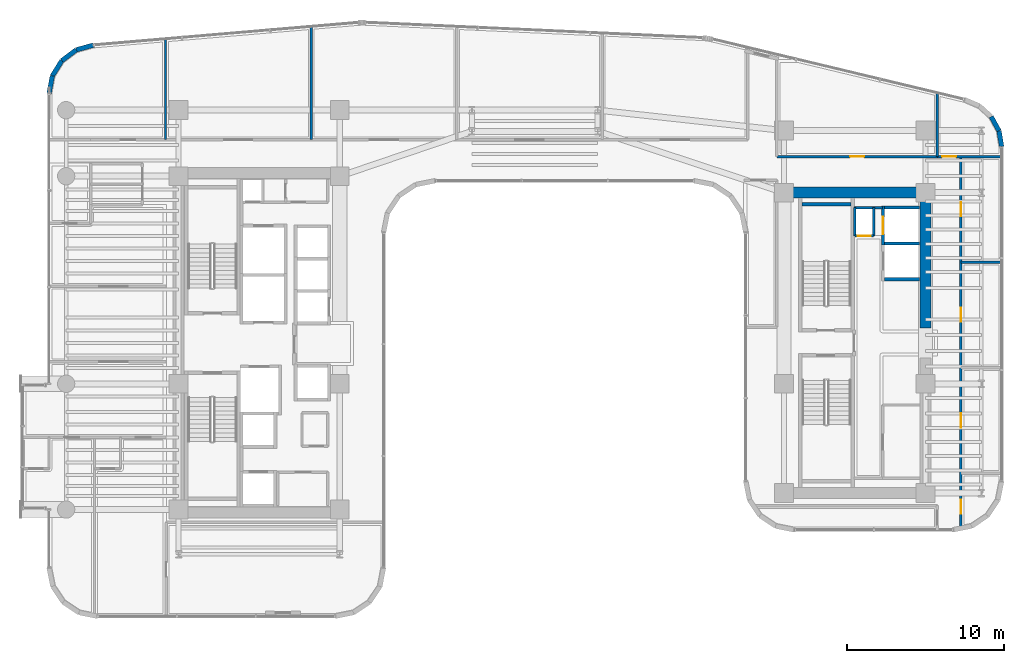
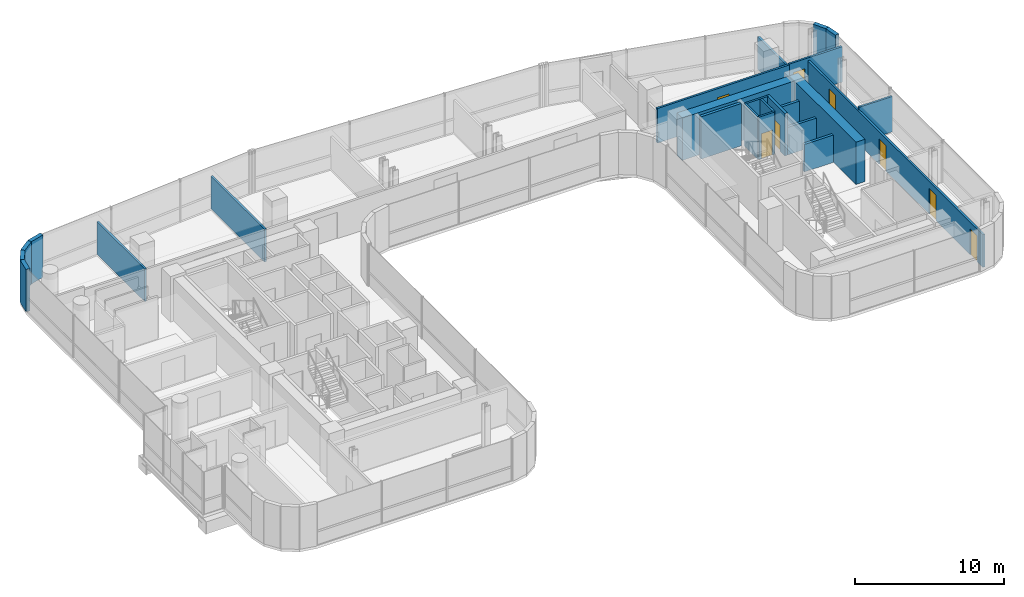
# One storey, part 31 of 37: 24 walls, 8 doors, 8 openings.
"""IFC4 building model written with IfcOpenShell, lengths in metres."""

from ifc_helpers import new_model, si_unit, direction, frame, frame_2d, origin, place, context, subcontext, project, spatial, rectangle, extrude, material, layer, layer_set, type_object, element, fill, save


model = new_model("IFC4")

# Units and contexts
model_context = context("Model", 3, precision=1e-05, world=origin(), true_north=direction((0.0, 1.0)))
body_context = subcontext(model_context, "Body", "Model", "MODEL_VIEW")
ifc_project = project(units=[si_unit("LENGTHUNIT", "METRE"), si_unit("AREAUNIT", "SQUARE_METRE"), si_unit("VOLUMEUNIT", "CUBIC_METRE"), si_unit("PLANEANGLEUNIT", "RADIAN"), si_unit("MASSUNIT", "GRAM", prefix="KILO")], contexts=[model_context])

# Site, building, storey
site_placement = place(None, origin())
site = spatial("IfcSite", under=ifc_project, at=site_placement, CompositionType="ELEMENT")
building_placement = place(site_placement, origin())
building = spatial("IfcBuilding", under=site, at=building_placement, Name="Valdorenza Pilgrim Sanctuary Tower", CompositionType="ELEMENT")
storey_placement = place(building_placement, frame((0.0, 0.0, 135.300048828125)))
storey = spatial("IfcBuildingStorey", under=building, at=storey_placement, Name="L34", CompositionType="ELEMENT", Elevation=135.300048828125)

# Wall, opening, door
ifc_material_1 = material(Name="Acoustic twin-stud gypsum partition", Category="gypsum")
ifc_layer_1 = layer(ifc_material_1, 0.159912109375, Name="Acoustic twin-stud gypsum partition")
ifc_layer_set_1 = layer_set([ifc_layer_1], Name="Acoustic twin-stud gypsum partition")
wall_type_1 = type_object("IfcWallType", Name="WAL-COR-160", PredefinedType="PARTITIONING", material=ifc_layer_set_1)
wall_1_placement = place(storey_placement, frame((20.35009765625, 6.800048828125, 0.0), z_axis=(0.0, 0.0, 1.0), x_axis=(1.0, 0.0, 0.0)))
wall_1 = element("IfcWall", 1, at=wall_1_placement, inside=storey, type_object=wall_type_1, Name="L34 Core B Riser South Wall", PredefinedType="PARTITIONING", context=body_context, shape_type="SweptSolid", body=[
    extrude(rectangle(XDim=1.199951171875, YDim=0.159912109375, at=frame_2d((0.60009765625, 0.0))), origin(), (0.0, 0.0, 1.0), 3.4599609375),
])
opening_1_placement = place(wall_1_placement, frame((0.175048828125, 0.0, 0.0)))
opening_1 = element("IfcOpeningElement", 2, at=opening_1_placement, cuts=wall_1, Name="Opening DR-RS1", PredefinedType="OPENING", context=body_context, shape_type="SweptSolid", body=[
    extrude(rectangle(XDim=0.85009765625, YDim=2.050048828125, at=frame_2d((0.425048828125, 1.02490234375))), frame((0.0, 0.0947265625, 0.0), z_axis=(0.0, -1.0, 0.0), x_axis=(1.0, 0.0, 0.0)), (0.0, 0.0, 1.0), 0.189697265625),
])
ifc_material_2 = material(Name="Painted galvanized steel", Category="steel")
door_type_1 = type_object("IfcDoorType", Name="DR-RSR-850", OperationType="NOTDEFINED", PredefinedType="DOOR", material=ifc_material_2)
door_1_placement = place(opening_1_placement, origin())
door_1 = element("IfcDoor", 3, at=door_1_placement, inside=storey, type_object=door_type_1, Name="L34 Core B Electrical Riser Door", OperationType="SINGLE_SWING_LEFT", OverallHeight=2.050048828125, OverallWidth=0.85009765625, PredefinedType="DOOR", context=body_context, shape_type="SweptSolid", body=[
    extrude(rectangle(XDim=0.85009765625, YDim=2.050048828125, at=frame_2d((0.425048828125, 1.02490234375))), frame((0.0, 0.02490234375, 0.0), z_axis=(0.0, -1.0, 0.0), x_axis=(1.0, 0.0, 0.0)), (0.0, 0.0, 1.0), 0.050048828125),
])
fill(opening_1, door_1)

# Walls
for number, where, z_axis, x_axis, name in (
    (4, (21.550048828125, 6.800048828125, 0.0), (0.0, 0.0, 1.0), (0.0, 1.0, 0.0), "L34 Core B Riser East Wall"),
    (5, (20.35009765625, 6.800048828125, 0.0), (0.0, 0.0, 1.0), (0.0, 1.0, 0.0), "L34 Core B Riser West Wall"),
):
    element("IfcWall", number, at=place(storey_placement, frame(where, z_axis=z_axis, x_axis=x_axis)), inside=storey, type_object=wall_type_1, Name=name, PredefinedType="PARTITIONING", context=body_context, shape_type="SweptSolid", body=[
        extrude(rectangle(XDim=1.800048828125, YDim=0.159912109375, at=frame_2d((0.89990234375, 0.0))), origin(), (0.0, 0.0, 1.0), 3.4599609375),
    ])
wall_2_placement = place(storey_placement, frame((20.300048828125, 8.60009765625, 0.0), z_axis=(0.0, 0.0, 1.0), x_axis=(1.0, 0.0, 0.0)))
element("IfcWall", 6, at=wall_2_placement, inside=storey, type_object=wall_type_1, Name="L34 Core B Lift Hall North End Wall", PredefinedType="PARTITIONING", context=body_context, shape_type="SweptSolid", body=[
    extrude(rectangle(XDim=1.820068359375, YDim=0.159912109375, at=frame_2d((0.91015625, 0.0))), origin(), (0.0, 0.0, 1.0), 3.4599609375),
])

# Wall, opening, door
wall_3_placement = place(storey_placement, frame((15.39990234375, 11.85009765625, 0.0), z_axis=(0.0, 0.0, 1.0), x_axis=(1.0, 0.0, 0.0)))
wall_3 = element("IfcWall", 7, at=wall_3_placement, inside=storey, type_object=wall_type_1, Name="L34 Wing B North Corridor Wall", PredefinedType="PARTITIONING", context=body_context, shape_type="SweptSolid", body=[
    extrude(rectangle(XDim=10.2001953125, YDim=0.159912109375, at=frame_2d((5.10009765625, 0.0))), origin(), (0.0, 0.0, 1.0), 2.833984375),
])
opening_2_placement = place(wall_3_placement, frame((4.64990234375, 0.0, 0.0)))
opening_2 = element("IfcOpeningElement", 8, at=opening_2_placement, cuts=wall_3, Name="Opening DR-RM1", PredefinedType="OPENING", context=body_context, shape_type="SweptSolid", body=[
    extrude(rectangle(XDim=0.89990234375, YDim=2.10009765625, at=frame_2d((0.449951171875, 1.050048828125))), frame((0.0, 0.0947265625, 0.0), z_axis=(0.0, -1.0, 0.0), x_axis=(1.0, 0.0, 0.0)), (0.0, 0.0, 1.0), 0.189697265625),
])
ifc_material_3 = material(Name="Solid-core European oak timber", Category="wood")
door_type_2 = type_object("IfcDoorType", Name="DR-ROOM-900", OperationType="NOTDEFINED", PredefinedType="DOOR", material=ifc_material_3)
door_2_placement = place(opening_2_placement, origin())
door_2 = element("IfcDoor", 9, at=door_2_placement, inside=storey, type_object=door_type_2, Name="L34 Curator Research Office L34-BN1 Door", OperationType="SINGLE_SWING_RIGHT", OverallHeight=2.10009765625, OverallWidth=0.89990234375, PredefinedType="DOOR", context=body_context, shape_type="SweptSolid", body=[
    extrude(rectangle(XDim=0.89990234375, YDim=2.10009765625, at=frame_2d((0.449951171875, 1.050048828125))), frame((0.0, 0.02490234375, 0.0), z_axis=(0.0, -1.0, 0.0), x_axis=(1.0, 0.0, 0.0)), (0.0, 0.0, 1.0), 0.050048828125),
])
fill(opening_2, door_2)

# Wall
wall_4_placement = place(storey_placement, frame((25.60009765625, 11.85009765625, 0.0), z_axis=(0.0, 0.0, 1.0), x_axis=(0.0, 1.0, 0.0)))
element("IfcWall", 10, at=wall_4_placement, inside=storey, type_object=wall_type_1, Name="L34 Wing B North East Wall", PredefinedType="PARTITIONING", context=body_context, shape_type="SweptSolid", body=[
    extrude(rectangle(XDim=4.042236328125, YDim=0.159912109375, at=frame_2d((2.02099609375, 0.0))), origin(), (0.0, 0.0, 1.0), 2.666015625),
])

# Wall, openings, doors
wall_5_placement = place(storey_placement, frame((27.10009765625, -11.660888671875, 0.0), z_axis=(0.0, 0.0, 1.0), x_axis=(0.0, 1.0, 0.0)))
wall_5 = element("IfcWall", 11, at=wall_5_placement, inside=storey, type_object=wall_type_1, Name="L34 Wing B East Corridor Wall", PredefinedType="PARTITIONING", context=body_context, shape_type="SweptSolid", body=[
    extrude(rectangle(XDim=23.510986328125, YDim=0.159912109375, at=frame_2d((11.75537109375, 0.0))), origin(), (0.0, 0.0, 1.0), 2.666015625),
])
opening_3_placement = place(wall_5_placement, frame((0.800048828125, 0.0, 0.0)))
opening_3 = element("IfcOpeningElement", 12, at=opening_3_placement, cuts=wall_5, Name="Opening DR-RM1", PredefinedType="OPENING", context=body_context, shape_type="SweptSolid", body=[
    extrude(rectangle(XDim=0.89990234375, YDim=2.10009765625, at=frame_2d((0.449951171875, 1.050048828125))), frame((0.0, 0.0947265625, 0.0), z_axis=(0.0, -1.0, 0.0), x_axis=(1.0, 0.0, 0.0)), (0.0, 0.0, 1.0), 0.189697265625),
])
opening_4_placement = place(wall_5_placement, frame((6.280029296875, 0.0, 0.0)))
opening_4 = element("IfcOpeningElement", 13, at=opening_4_placement, cuts=wall_5, Name="Opening DR-RM1", PredefinedType="OPENING", context=body_context, shape_type="SweptSolid", body=[
    extrude(rectangle(XDim=0.89990234375, YDim=2.10009765625, at=frame_2d((0.449951171875, 1.050048828125))), frame((0.0, 0.0947265625, 0.0), z_axis=(0.0, -1.0, 0.0), x_axis=(1.0, 0.0, 0.0)), (0.0, 0.0, 1.0), 0.189697265625),
])
opening_5_placement = place(wall_5_placement, frame((12.991943359375, 0.0, 0.0)))
opening_5 = element("IfcOpeningElement", 14, at=opening_5_placement, cuts=wall_5, Name="Opening DR-RM1", PredefinedType="OPENING", context=body_context, shape_type="SweptSolid", body=[
    extrude(rectangle(XDim=0.89990234375, YDim=2.10009765625, at=frame_2d((0.449951171875, 1.050048828125))), frame((0.0, 0.0947265625, 0.0), z_axis=(0.0, -1.0, 0.0), x_axis=(1.0, 0.0, 0.0)), (0.0, 0.0, 1.0), 0.189697265625),
])
opening_6_placement = place(wall_5_placement, frame((19.705078125, 0.0, 0.0)))
opening_6 = element("IfcOpeningElement", 15, at=opening_6_placement, cuts=wall_5, Name="Opening DR-RM1", PredefinedType="OPENING", context=body_context, shape_type="SweptSolid", body=[
    extrude(rectangle(XDim=0.89990234375, YDim=2.10009765625, at=frame_2d((0.449951171875, 1.050048828125))), frame((0.0, 0.0947265625, 0.0), z_axis=(0.0, -1.0, 0.0), x_axis=(1.0, 0.0, 0.0)), (0.0, 0.0, 1.0), 0.189697265625),
])
door_3_placement = place(opening_3_placement, frame((0.89990234375, 0.0, 0.0), z_axis=(0.0, 0.0, 1.0), x_axis=(-1.0, 0.0, 0.0)))
door_3 = element("IfcDoor", 16, at=door_3_placement, inside=storey, type_object=door_type_2, Name="L34 East Sanctuary Scholar Office L34-EG1 Door", OperationType="SINGLE_SWING_LEFT", OverallHeight=2.10009765625, OverallWidth=0.89990234375, PredefinedType="DOOR", context=body_context, shape_type="SweptSolid", body=[
    extrude(rectangle(XDim=0.89990234375, YDim=2.10009765625, at=frame_2d((0.449951171875, 1.050048828125))), frame((0.0, 0.02490234375, 0.0), z_axis=(0.0, -1.0, 0.0), x_axis=(1.0, 0.0, 0.0)), (0.0, 0.0, 1.0), 0.050048828125),
])
fill(opening_3, door_3)
door_4_placement = place(opening_4_placement, origin())
door_4 = element("IfcDoor", 17, at=door_4_placement, inside=storey, type_object=door_type_2, Name="L34 East Sanctuary Scholar Office L34-EG2 Door", OperationType="SINGLE_SWING_RIGHT", OverallHeight=2.10009765625, OverallWidth=0.89990234375, PredefinedType="DOOR", context=body_context, shape_type="SweptSolid", body=[
    extrude(rectangle(XDim=0.89990234375, YDim=2.10009765625, at=frame_2d((0.449951171875, 1.050048828125))), frame((0.0, 0.02490234375, 0.0), z_axis=(0.0, -1.0, 0.0), x_axis=(1.0, 0.0, 0.0)), (0.0, 0.0, 1.0), 0.050048828125),
])
fill(opening_4, door_4)
door_5_placement = place(opening_5_placement, frame((0.89990234375, 0.0, 0.0), z_axis=(0.0, 0.0, 1.0), x_axis=(-1.0, 0.0, 0.0)))
door_5 = element("IfcDoor", 18, at=door_5_placement, inside=storey, type_object=door_type_2, Name="L34 East Sanctuary Scholar Office L34-EG3 Door", OperationType="SINGLE_SWING_LEFT", OverallHeight=2.10009765625, OverallWidth=0.89990234375, PredefinedType="DOOR", context=body_context, shape_type="SweptSolid", body=[
    extrude(rectangle(XDim=0.89990234375, YDim=2.10009765625, at=frame_2d((0.449951171875, 1.050048828125))), frame((0.0, 0.02490234375, 0.0), z_axis=(0.0, -1.0, 0.0), x_axis=(1.0, 0.0, 0.0)), (0.0, 0.0, 1.0), 0.050048828125),
])
fill(opening_5, door_5)
door_6_placement = place(opening_6_placement, origin())
door_6 = element("IfcDoor", 19, at=door_6_placement, inside=storey, type_object=door_type_2, Name="L34 East Sanctuary Scholar Office L34-EG4 Door", OperationType="SINGLE_SWING_RIGHT", OverallHeight=2.10009765625, OverallWidth=0.89990234375, PredefinedType="DOOR", context=body_context, shape_type="SweptSolid", body=[
    extrude(rectangle(XDim=0.89990234375, YDim=2.10009765625, at=frame_2d((0.449951171875, 1.050048828125))), frame((0.0, 0.02490234375, 0.0), z_axis=(0.0, -1.0, 0.0), x_axis=(1.0, 0.0, 0.0)), (0.0, 0.0, 1.0), 0.050048828125),
])
fill(opening_6, door_6)

# Wall, opening, door
wall_6_placement = place(storey_placement, frame((25.60009765625, 11.85009765625, 0.0), z_axis=(0.0, 0.0, 1.0), x_axis=(1.0, 0.0, 0.0)))
wall_6 = element("IfcWall", 20, at=wall_6_placement, inside=storey, type_object=wall_type_1, Name="L34 East Wing NE Corner South Wall", PredefinedType="PARTITIONING", context=body_context, shape_type="SweptSolid", body=[
    extrude(rectangle(XDim=4.08984375, YDim=0.159912109375, at=frame_2d((2.044921875, 0.0))), origin(), (0.0, 0.0, 1.0), 2.89599609375),
])
opening_7_placement = place(wall_6_placement, frame((0.300048828125, 0.0, 0.0)))
opening_7 = element("IfcOpeningElement", 21, at=opening_7_placement, cuts=wall_6, Name="Opening DR-RM1", PredefinedType="OPENING", context=body_context, shape_type="SweptSolid", body=[
    extrude(rectangle(XDim=0.89990234375, YDim=2.10009765625, at=frame_2d((0.449951171875, 1.050048828125))), frame((0.0, 0.0947265625, 0.0), z_axis=(0.0, -1.0, 0.0), x_axis=(1.0, 0.0, 0.0)), (0.0, 0.0, 1.0), 0.189697265625),
])
door_7_placement = place(opening_7_placement, origin())
door_7 = element("IfcDoor", 22, at=door_7_placement, inside=storey, type_object=door_type_2, Name="L34 East North Alcove Office L34 Door", OperationType="SINGLE_SWING_RIGHT", OverallHeight=2.10009765625, OverallWidth=0.89990234375, PredefinedType="DOOR", context=body_context, shape_type="SweptSolid", body=[
    extrude(rectangle(XDim=0.89990234375, YDim=2.10009765625, at=frame_2d((0.449951171875, 1.050048828125))), frame((0.0, 0.02490234375, 0.0), z_axis=(0.0, -1.0, 0.0), x_axis=(1.0, 0.0, 0.0)), (0.0, 0.0, 1.0), 0.050048828125),
])
fill(opening_7, door_7)

# Walls
ifc_material_4 = material(Name="Concrete C60/75", Category="concrete")
ifc_layer_2 = layer(ifc_material_4, 0.699951171875, Name="Concrete C60/75")
ifc_layer_set_2 = layer_set([ifc_layer_2], Name="Concrete C60/75")
wall_type_2 = type_object("IfcWallType", Name="WAL-COR-700", PredefinedType="SHEAR", material=ifc_layer_set_2)
wall_7_placement = place(storey_placement, frame((24.85009765625, 0.949951171875, 0.0), z_axis=(0.0, 0.0, 1.0), x_axis=(0.0, 1.0, 0.0)))
element("IfcWall", 23, at=wall_7_placement, inside=storey, type_object=wall_type_2, Name="L34 Split Core B Shear Wall EN", PredefinedType="SHEAR", context=body_context, shape_type="SweptSolid", body=[
    extrude(rectangle(XDim=8.949951171875, YDim=0.699951171875, at=frame_2d((4.47509765625, 0.0))), origin(), (0.0, 0.0, 1.0), 3.4599609375),
])
wall_8_placement = place(storey_placement, frame((15.85009765625, 9.550048828125, 0.0), z_axis=(0.0, 0.0, 1.0), x_axis=(1.0, 0.0, 0.0)))
element("IfcWall", 24, at=wall_8_placement, inside=storey, type_object=wall_type_2, Name="L34 Split Core B Shear Wall N", PredefinedType="SHEAR", context=body_context, shape_type="SweptSolid", body=[
    extrude(rectangle(XDim=9.0, YDim=0.699951171875, at=frame_2d((4.5, 0.0))), origin(), (0.0, 0.0, 1.0), 3.4599609375),
])
ifc_material_5 = material(Name="Honed travertine limestone", Category="masonry")
ifc_layer_3 = layer(ifc_material_5, 0.300048828125, Name="Honed travertine limestone")
ifc_layer_set_3 = layer_set([ifc_layer_3], Name="Honed travertine limestone")
wall_type_3 = type_object("IfcWallType", Name="WAL-EXT-300", PredefinedType="SOLIDWALL", material=ifc_layer_set_3)
wall_9_placement = place(storey_placement, frame((-30.889892578125, 15.850341796875, 0.0), z_axis=(0.0, 0.0, 1.0), x_axis=(0.184557499391, 0.982821718023, 0.0)))
element("IfcWall", 25, at=wall_9_placement, inside=storey, type_object=wall_type_3, Name="L34 Rounded Wind-Corner Stone Pier 2", PredefinedType="SOLIDWALL", context=body_context, shape_type="SweptSolid", body=[
    extrude(rectangle(XDim=1.15087890625, YDim=0.300048828125, at=frame_2d((0.575439453125, 0.0))), origin(), (0.0, 0.0, 1.0), 3.4599609375),
])
wall_10_placement = place(storey_placement, frame((-30.677490234375, 16.9814453125, 0.0), z_axis=(0.0, 0.0, 1.0), x_axis=(0.52880576008, 0.848742875143, 0.0)))
element("IfcWall", 26, at=wall_10_placement, inside=storey, type_object=wall_type_3, Name="L34 Rounded Wind-Corner Stone Pier 3", PredefinedType="SOLIDWALL", context=body_context, shape_type="SweptSolid", body=[
    extrude(rectangle(XDim=1.140869140625, YDim=0.300048828125, at=frame_2d((0.5703125, 0.0))), origin(), (0.0, 0.0, 1.0), 3.4599609375),
])
wall_11_placement = place(storey_placement, frame((-30.07421875, 17.94970703125, 0.0), z_axis=(0.0, 0.0, 1.0), x_axis=(0.800975009324, 0.598697782223, 0.0)))
element("IfcWall", 27, at=wall_11_placement, inside=storey, type_object=wall_type_3, Name="L34 Rounded Wind-Corner Stone Pier 4", PredefinedType="SOLIDWALL", context=body_context, shape_type="SweptSolid", body=[
    extrude(rectangle(XDim=1.140625, YDim=0.300048828125, at=frame_2d((0.5703125, 0.0))), origin(), (0.0, 0.0, 1.0), 3.4599609375),
])
wall_12_placement = place(storey_placement, frame((-29.16064453125, 18.632568359375, 0.0), z_axis=(0.0, 0.0, 1.0), x_axis=(0.963624193367, 0.267260947313, 0.0)))
element("IfcWall", 28, at=wall_12_placement, inside=storey, type_object=wall_type_3, Name="L34 Rounded Wind-Corner Stone Pier 5", PredefinedType="SOLIDWALL", context=body_context, shape_type="SweptSolid", body=[
    extrude(rectangle(XDim=1.15087890625, YDim=0.300048828125, at=frame_2d((0.575439453125, 0.0))), origin(), (0.0, 0.0, 1.0), 3.4599609375),
])
wall_13_placement = place(storey_placement, frame((29.024658203125, 14.388427734375, 0.0), z_axis=(0.0, 0.0, 1.0), x_axis=(0.480284137298, -0.87711296163, 0.0)))
element("IfcWall", 29, at=wall_13_placement, inside=storey, type_object=wall_type_3, Name="L34 Rounded Wind-Corner Stone Pier 19", PredefinedType="SOLIDWALL", context=body_context, shape_type="SweptSolid", body=[
    extrude(rectangle(XDim=1.02685546875, YDim=0.300048828125, at=frame_2d((0.513427734375, 0.0))), origin(), (0.0, 0.0, 1.0), 3.4599609375),
])
wall_14_placement = place(storey_placement, frame((29.517822265625, 13.48779296875, 0.0), z_axis=(0.0, 0.0, 1.0), x_axis=(0.166156796952, -0.986099345313, 0.0)))
element("IfcWall", 30, at=wall_14_placement, inside=storey, type_object=wall_type_3, Name="L34 Rounded Wind-Corner Stone Pier 20", PredefinedType="SOLIDWALL", context=body_context, shape_type="SweptSolid", body=[
    extrude(rectangle(XDim=1.035888671875, YDim=0.300048828125, at=frame_2d((0.51806640625, 0.0))), origin(), (0.0, 0.0, 1.0), 3.4599609375),
])
ifc_material_6 = material(Name="Autoclaved aerated concrete blockwork", Category="masonry")
ifc_layer_4 = layer(ifc_material_6, 0.199951171875, Name="Autoclaved aerated concrete blockwork")
ifc_layer_set_4 = layer_set([ifc_layer_4], Name="Autoclaved aerated concrete blockwork")
wall_type_4 = type_object("IfcWallType", Name="WAL-SHF-200", PredefinedType="MOVABLE", material=ifc_layer_set_4)
for number, where, z_axis, x_axis, name in (
    (31, (22.25, 4.050048828125, 0.0), (0.0, 0.0, 1.0), (1.0, 0.0, 0.0), "L34 Lift PL-07 Hoistway Wall South"),
    (32, (22.25, 6.324951171875, 0.0), (0.0, 0.0, 1.0), (1.0, 0.0, 0.0), "L34 Lift PL-07 Hoistway Wall North"),
):
    element("IfcWall", number, at=place(storey_placement, frame(where, z_axis=z_axis, x_axis=x_axis)), inside=storey, type_object=wall_type_4, Name=name, PredefinedType="MOVABLE", context=body_context, shape_type="SweptSolid", body=[
        extrude(rectangle(XDim=2.22998046875, YDim=0.199951171875, at=frame_2d((1.114990234375, 0.0))), origin(), (0.0, 0.0, 1.0), 2.244873046875),
    ])

# Wall, opening, door
wall_15_placement = place(storey_placement, frame((22.14990234375, 6.22509765625, 0.0), z_axis=(0.0, 0.0, 1.0), x_axis=(0.0, 1.0, 0.0)))
wall_15 = element("IfcWall", 33, at=wall_15_placement, inside=storey, type_object=wall_type_4, Name="L34 Lift PL-08 Hoistway Wall West", PredefinedType="MOVABLE", context=body_context, shape_type="SweptSolid", body=[
    extrude(rectangle(XDim=2.474853515625, YDim=0.199951171875, at=frame_2d((1.2373046875, 0.0))), origin(), (0.0, 0.0, 1.0), 3.4599609375),
])
opening_8_placement = place(wall_15_placement, frame((0.6875, 0.0, 0.0)))
opening_8 = element("IfcOpeningElement", 34, at=opening_8_placement, cuts=wall_15, Name="Opening LD-01", PredefinedType="OPENING", context=body_context, shape_type="SweptSolid", body=[
    extrude(rectangle(XDim=1.10009765625, YDim=2.10009765625, at=frame_2d((0.550048828125, 1.050048828125))), frame((0.0, 0.11474609375, 0.0), z_axis=(0.0, -1.0, 0.0), x_axis=(1.0, 0.0, 0.0)), (0.0, 0.0, 1.0), 0.229736328125),
])
ifc_material_7 = material(Name="Brushed stainless steel Grade 316", Category="steel")
door_type_3 = type_object("IfcDoorType", Name="DR-LFT-1100", OperationType="DOUBLE_DOOR_SLIDING", PredefinedType="DOOR", material=ifc_material_7)
door_8_placement = place(opening_8_placement, origin())
door_8 = element("IfcDoor", 35, at=door_8_placement, inside=storey, type_object=door_type_3, Name="L34 Lift PL-08 Sliding Landing Door", OperationType="DOUBLE_DOOR_SLIDING", OverallHeight=2.10009765625, OverallWidth=1.10009765625, PredefinedType="DOOR", context=body_context, shape_type="SweptSolid", body=[
    extrude(rectangle(XDim=1.10009765625, YDim=2.10009765625, at=frame_2d((0.550048828125, 1.050048828125))), frame((0.0, 0.02490234375, 0.0), z_axis=(0.0, -1.0, 0.0), x_axis=(1.0, 0.0, 0.0)), (0.0, 0.0, 1.0), 0.050048828125),
])
fill(opening_8, door_8)

# Walls
wall_16_placement = place(storey_placement, frame((22.25, 8.60009765625, 0.0), z_axis=(0.0, 0.0, 1.0), x_axis=(1.0, 0.0, 0.0)))
element("IfcWall", 36, at=wall_16_placement, inside=storey, type_object=wall_type_4, Name="L34 Lift PL-08 Hoistway Wall North", PredefinedType="MOVABLE", context=body_context, shape_type="SweptSolid", body=[
    extrude(rectangle(XDim=2.22998046875, YDim=0.199951171875, at=frame_2d((1.114990234375, 0.0))), origin(), (0.0, 0.0, 1.0), 2.244873046875),
])
ifc_material_8 = material(Name="Concrete C40/50", Category="concrete")
ifc_layer_5 = layer(ifc_material_8, 0.219970703125, Name="Concrete C40/50")
ifc_layer_set_5 = layer_set([ifc_layer_5], Name="Concrete C40/50")
wall_type_5 = type_object("IfcWallType", Name="WAL-STR-SHF-220", PredefinedType="SHEAR", material=ifc_layer_set_5)
wall_17_placement = place(storey_placement, frame((17.0, 8.81005859375, 0.0), z_axis=(0.0, 0.0, 1.0), x_axis=(1.0, 0.0, 0.0)))
element("IfcWall", 37, at=wall_17_placement, inside=storey, type_object=wall_type_5, Name="L34 ST-B1 Structural Stairwell Wall N", PredefinedType="SHEAR", context=body_context, shape_type="SweptSolid", body=[
    extrude(rectangle(XDim=3.110107421875, YDim=0.219970703125, at=frame_2d((1.55517578125, 0.0))), origin(), (0.0, 0.0, 1.0), 3.4599609375),
])
ifc_layer_6 = layer(ifc_material_1, 0.14990234375, Name="Acoustic twin-stud gypsum partition")
ifc_layer_set_6 = layer_set([ifc_layer_6], Name="Acoustic twin-stud gypsum partition")
wall_type_6 = type_object("IfcWallType", Name="WAL-UNT-150", PredefinedType="PARTITIONING", material=ifc_layer_set_6)
wall_18_placement = place(storey_placement, frame((-23.48193359375, 12.919921875, 0.0), z_axis=(0.0, 0.0, 1.0), x_axis=(0.0, 1.0, 0.0)))
element("IfcWall", 38, at=wall_18_placement, inside=storey, type_object=wall_type_6, Name="L34 Theological Seminar Classroom L34-N2 Demising Wall", PredefinedType="PARTITIONING", context=body_context, shape_type="SweptSolid", body=[
    extrude(rectangle(XDim=6.40869140625, YDim=0.14990234375, at=frame_2d((3.204345703125, 0.0))), origin(), (0.0, 0.0, 1.0), 2.666015625),
])
wall_19_placement = place(storey_placement, frame((-14.22412109375, 12.919921875, 0.0), z_axis=(0.0, 0.0, 1.0), x_axis=(0.0, 1.0, 0.0)))
element("IfcWall", 39, at=wall_19_placement, inside=storey, type_object=wall_type_6, Name="L34 Theological Seminar Classroom L34-N3 Demising Wall", PredefinedType="PARTITIONING", context=body_context, shape_type="SweptSolid", body=[
    extrude(rectangle(XDim=7.195556640625, YDim=0.14990234375, at=frame_2d((3.59765625, 0.0))), origin(), (0.0, 0.0, 1.0), 2.666015625),
])
wall_20_placement = place(storey_placement, frame((27.10009765625, 5.137939453125, 0.0), z_axis=(0.0, 0.0, 1.0), x_axis=(1.0, 0.0, 0.0)))
element("IfcWall", 40, at=wall_20_placement, inside=storey, type_object=wall_type_6, Name="L34 East Wing Guest Demising 3", PredefinedType="PARTITIONING", context=body_context, shape_type="SweptSolid", body=[
    extrude(rectangle(XDim=2.58984375, YDim=0.14990234375, at=frame_2d((1.294921875, 0.0))), origin(), (0.0, 0.0, 1.0), 2.89599609375),
])

save(model, "model.ifc")
